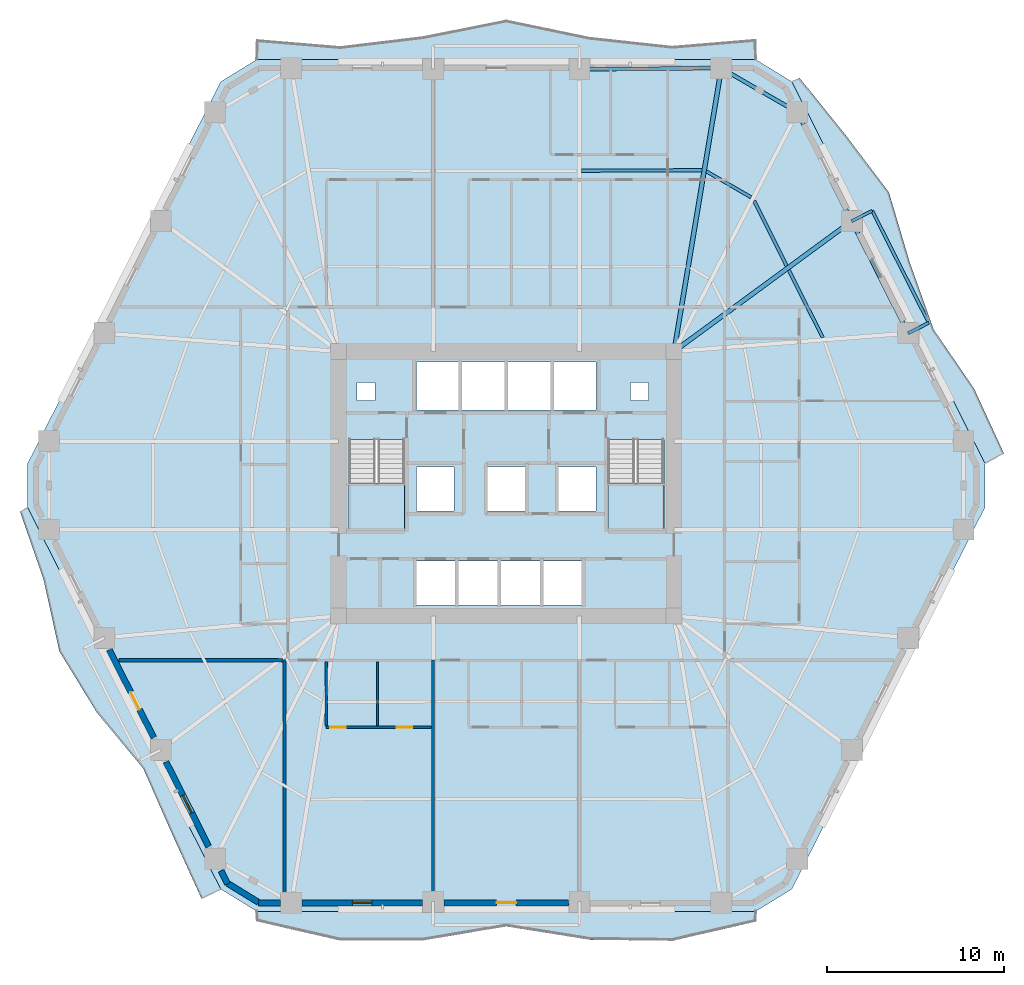
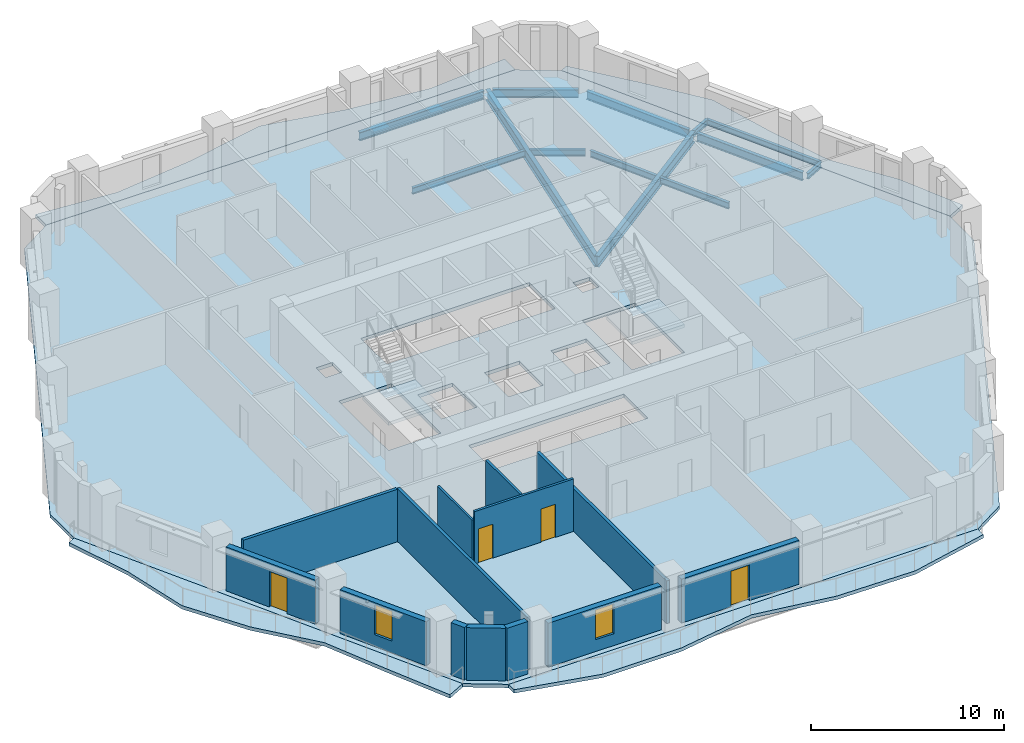
# One storey, part 3 of 13: 13 beams, 13 walls, 7 slabs, 4 doors, 2 windows, 6 openings, 2 elements without a shape of their own.
"""IFC4 building model written with IfcOpenShell, lengths in metres."""

from ifc_helpers import new_model, si_unit, direction, frame, frame_2d, origin, origin_2d, place, context, subcontext, project, spatial, polyline, rectangle, i_section, outline, extrude, material, layer, layer_set, material_profile, profile_set, type_object, element, fill, aggregate, save


model = new_model("IFC4")

# Units and contexts
model_context = context("Model", 3, precision=1e-05, world=origin(), true_north=direction((0.0, 1.0)))
body_context = subcontext(model_context, "Body", "Model", "MODEL_VIEW")
ifc_project = project(units=[si_unit("LENGTHUNIT", "METRE"), si_unit("AREAUNIT", "SQUARE_METRE"), si_unit("VOLUMEUNIT", "CUBIC_METRE"), si_unit("PLANEANGLEUNIT", "RADIAN"), si_unit("MASSUNIT", "GRAM", prefix="KILO")], contexts=[model_context])

# Site, building, storey
site_placement = place(None, origin())
site = spatial("IfcSite", under=ifc_project, at=site_placement, CompositionType="ELEMENT")
building_placement = place(site_placement, origin())
building = spatial("IfcBuilding", under=site, at=building_placement, Name="Cinnabar Lancet Tower", CompositionType="ELEMENT")
storey_placement = place(building_placement, frame((0.0, 0.0, 63.949951171875)))
storey = spatial("IfcBuildingStorey", under=building, at=storey_placement, Name="L16", CompositionType="ELEMENT", Elevation=63.949951171875)

# Beams
ifc_material_1 = material(Name="Structural steel S355", Category="steel")
ifc_material_profile_1 = material_profile(ifc_material_1, i_section(OverallWidth=0.177978515625, OverallDepth=0.406494140625, WebThickness=0.0078125, FlangeThickness=0.0126953125, FilletRadius=0.01025390625, at=origin_2d()), Name="UKB 406x178x60")
ifc_profile_set_1 = profile_set([ifc_material_profile_1], Name="Structural steel S355")
beam_type_1 = type_object("IfcBeamType", Name="STR-BM-JST-406", PredefinedType="JOIST", material=ifc_profile_set_1)
beam_1_placement = place(storey_placement, frame((50.23388671875, 34.132080078125, -0.4228515625), z_axis=(-0.450856172856, 0.8925966118, 0.0), x_axis=(-0.8925966118, -0.450856172856, 0.0)))
element("IfcBeam", 1, at=beam_1_placement, inside=storey, type_object=beam_type_1, Name="L16 Secondary Floor Joist 27", PredefinedType="JOIST", context=body_context, shape_type="SweptSolid", body=[
    extrude(i_section(OverallWidth=0.177978515625, OverallDepth=0.406494140625, WebThickness=0.0078125, FlangeThickness=0.0126953125, FilletRadius=0.01025390625, at=origin_2d()), origin(), (0.0, 0.0, 1.0), 4.25830078125),
])
beam_2_placement = place(storey_placement, frame((48.197998046875, 38.1630859375, -0.4228515625), z_axis=(-0.445641523434, 0.895211501597, 0.0), x_axis=(-0.895211501597, -0.445641523434, 0.0)))
element("IfcBeam", 2, at=beam_2_placement, inside=storey, type_object=beam_type_1, Name="L16 Secondary Floor Joist 29", PredefinedType="JOIST", context=body_context, shape_type="SweptSolid", body=[
    extrude(i_section(OverallWidth=0.177978515625, OverallDepth=0.406494140625, WebThickness=0.0078125, FlangeThickness=0.0126953125, FilletRadius=0.01025390625, at=origin_2d()), origin(), (0.0, 0.0, 1.0), 4.1015625),
])
beam_3_placement = place(storey_placement, frame((46.18994140625, 42.0390625, -0.4228515625), z_axis=(-0.865209684948, 0.501410212373, 0.0), x_axis=(-0.501410212373, -0.865209684948, 0.0)))
element("IfcBeam", 3, at=beam_3_placement, inside=storey, type_object=beam_type_1, Name="L16 Secondary Floor Joist 31", PredefinedType="JOIST", context=body_context, shape_type="SweptSolid", body=[
    extrude(i_section(OverallWidth=0.177978515625, OverallDepth=0.406494140625, WebThickness=0.0078125, FlangeThickness=0.0126953125, FilletRadius=0.01025390625, at=origin_2d()), origin(), (0.0, 0.0, 1.0), 2.90771484375),
])
beam_4_placement = place(storey_placement, frame((43.427978515625, 43.56396484375, -0.4228515625), z_axis=(-0.999988871223, -0.004717778015, 0.0), x_axis=(0.004717778015, -0.999988871223, 0.0)))
element("IfcBeam", 4, at=beam_4_placement, inside=storey, type_object=beam_type_1, Name="L16 Secondary Floor Joist 33", PredefinedType="JOIST", context=body_context, shape_type="SweptSolid", body=[
    extrude(i_section(OverallWidth=0.177978515625, OverallDepth=0.406494140625, WebThickness=0.0078125, FlangeThickness=0.0126953125, FilletRadius=0.01025390625, at=origin_2d()), origin(), (0.0, 0.0, 1.0), 6.779052734375),
])
ifc_material_2 = material(Name="Structural steel S355", Category="steel")
ifc_material_profile_2 = material_profile(ifc_material_2, i_section(OverallWidth=0.209228515625, OverallDepth=0.533203125, WebThickness=0.010009765625, FlangeThickness=0.015625, FilletRadius=0.0126953125, at=origin_2d()), Name="UKB 533x210x92")
ifc_profile_set_2 = profile_set([ifc_material_profile_2], Name="Structural steel S355")
beam_type_2 = type_object("IfcBeamType", Name="STR-BM-SPN-533", PredefinedType="SPANDREL", material=ifc_profile_set_2)
beam_5_placement = place(storey_placement, frame((54.93310546875, 34.60302734375, -0.487060546875), z_axis=(-0.450703143926, 0.892673891214, 0.0), x_axis=(-0.892673891214, -0.450703143926, 0.0)))
element("IfcBeam", 5, at=beam_5_placement, inside=storey, type_object=beam_type_2, Name="L16 Perimeter Spandrel 10", PredefinedType="SPANDREL", context=body_context, shape_type="SweptSolid", body=[
    extrude(i_section(OverallWidth=0.209228515625, OverallDepth=0.533203125, WebThickness=0.010009765625, FlangeThickness=0.015625, FilletRadius=0.0126953125, at=origin_2d()), origin(), (0.0, 0.0, 1.0), 6.570068359375),
])
beam_6_placement = place(storey_placement, frame((51.748046875, 40.9150390625, -0.487060546875), z_axis=(-0.445953050023, 0.89505635419, 0.0), x_axis=(-0.89505635419, -0.445953050023, 0.0)))
element("IfcBeam", 6, at=beam_6_placement, inside=storey, type_object=beam_type_2, Name="L16 Perimeter Spandrel 11", PredefinedType="SPANDREL", context=body_context, shape_type="SweptSolid", body=[
    extrude(i_section(OverallWidth=0.209228515625, OverallDepth=0.533203125, WebThickness=0.010009765625, FlangeThickness=0.015625, FilletRadius=0.0126953125, at=origin_2d()), origin(), (0.0, 0.0, 1.0), 6.35498046875),
])
beam_7_placement = place(storey_placement, frame((48.5869140625, 46.951904296875, -0.487060546875), z_axis=(-0.865147238596, 0.501517951374, 0.0), x_axis=(-0.501517951374, -0.865147238596, 0.0)))
element("IfcBeam", 7, at=beam_7_placement, inside=storey, type_object=beam_type_2, Name="L16 Perimeter Spandrel 12", PredefinedType="SPANDREL", context=body_context, shape_type="SweptSolid", body=[
    extrude(i_section(OverallWidth=0.209228515625, OverallDepth=0.533203125, WebThickness=0.010009765625, FlangeThickness=0.015625, FilletRadius=0.0126953125, at=origin_2d()), origin(), (0.0, 0.0, 1.0), 4.454833984375),
])
beam_8_placement = place(storey_placement, frame((44.26708984375, 49.30908203125, -0.487060546875), z_axis=(-0.99997856757, -0.006547090947, 0.0), x_axis=(0.006547090947, -0.99997856757, 0.0)))
element("IfcBeam", 8, at=beam_8_placement, inside=storey, type_object=beam_type_2, Name="L16 Perimeter Spandrel 13", PredefinedType="SPANDREL", context=body_context, shape_type="SweptSolid", body=[
    extrude(i_section(OverallWidth=0.209228515625, OverallDepth=0.533203125, WebThickness=0.010009765625, FlangeThickness=0.015625, FilletRadius=0.0126953125, at=origin_2d()), origin(), (0.0, 0.0, 1.0), 7.495361328125),
])
ifc_material_3 = material(Name="Structural steel S355", Category="steel")
ifc_material_profile_3 = material_profile(ifc_material_3, i_section(OverallWidth=0.253662109375, OverallDepth=0.68359375, WebThickness=0.012451171875, FlangeThickness=0.01904296875, FilletRadius=0.01513671875, at=origin_2d()), Name="UKB 686x254x140")
ifc_profile_set_3 = profile_set([ifc_material_profile_3], Name="Structural steel S355")
beam_type_3 = type_object("IfcBeamType", Name="STR-BM-UKB686-140", PredefinedType="BEAM", material=ifc_profile_set_3)
beam_9_placement = place(storey_placement, frame((51.85888671875, 40.69091796875, -0.56201171875), z_axis=(-0.80636497312, -0.591418236213, 0.0), x_axis=(0.591418236213, -0.80636497312, 0.0)))
element("IfcBeam", 9, at=beam_9_placement, inside=storey, type_object=beam_type_3, Name="L16 Corner Collector Girder 3", PredefinedType="BEAM", context=body_context, shape_type="SweptSolid", body=[
    extrude(i_section(OverallWidth=0.253662109375, OverallDepth=0.68359375, WebThickness=0.012451171875, FlangeThickness=0.01904296875, FilletRadius=0.01513671875, at=origin_2d()), origin(), (0.0, 0.0, 1.0), 12.412353515625),
])
beam_10_placement = place(storey_placement, frame((44.51708984375, 49.31103515625, -0.56201171875), z_axis=(-0.164809990854, -0.986325335229, 0.0), x_axis=(0.986325335229, -0.164809990854, 0.0)))
element("IfcBeam", 10, at=beam_10_placement, inside=storey, type_object=beam_type_3, Name="L16 Primary Floor Girder 13", PredefinedType="BEAM", context=body_context, shape_type="SweptSolid", body=[
    extrude(i_section(OverallWidth=0.253662109375, OverallDepth=0.68359375, WebThickness=0.012451171875, FlangeThickness=0.01904296875, FilletRadius=0.01513671875, at=origin_2d()), origin(), (0.0, 0.0, 1.0), 16.18212890625),
])
ifc_material_4 = material(Name="Structural steel S355", Category="steel")
ifc_material_profile_4 = material_profile(ifc_material_4, i_section(OverallWidth=0.17138671875, OverallDepth=0.35498046875, WebThickness=0.00732421875, FlangeThickness=0.011474609375, FilletRadius=0.01025390625, at=origin_2d()), Name="UKB 356x171x51")
ifc_profile_set_4 = profile_set([ifc_material_profile_4], Name="Structural steel S355")
beam_type_4 = type_object("IfcBeamType", Name="STR-BM-WAV-OUT", PredefinedType="BEAM", material=ifc_profile_set_4)
for number, where, z_axis, x_axis, name in (
    (11, (55.0458984375, 34.3798828125, -0.39794921875), (0.892238560088, 0.451564338597, 0.0), (-0.451564338597, 0.892238560088, 0.0), "L16 Face 3 Balcony Outlooker A"),
    (12, (51.85888671875, 40.69091796875, -0.39794921875), (0.892238560088, 0.451564338597, 0.0), (-0.451564338597, 0.892238560088, 0.0), "L16 Face 3 Balcony Outlooker B"),
):
    element("IfcBeam", number, at=place(storey_placement, frame(where, z_axis=z_axis, x_axis=x_axis)), inside=storey, type_object=beam_type_4, Name=name, PredefinedType="BEAM", context=body_context, shape_type="SweptSolid", body=[
        extrude(i_section(OverallWidth=0.17138671875, OverallDepth=0.35498046875, WebThickness=0.00732421875, FlangeThickness=0.011474609375, FilletRadius=0.01025390625, at=origin_2d()), origin(), (0.0, 0.0, 1.0), 1.30029296875),
    ])
ifc_material_5 = material(Name="Structural steel S355", Category="steel")
ifc_material_profile_5 = material_profile(ifc_material_5, i_section(OverallWidth=0.17138671875, OverallDepth=0.35498046875, WebThickness=0.00732421875, FlangeThickness=0.011474609375, FilletRadius=0.01025390625, at=origin_2d()), Name="UKB 356x171x51")
ifc_profile_set_5 = profile_set([ifc_material_profile_5], Name="Structural steel S355")
beam_type_5 = type_object("IfcBeamType", Name="STR-BM-WAV-TRIM", PredefinedType="SPANDREL", material=ifc_profile_set_5)
beam_11_placement = place(storey_placement, frame((56.2060546875, 34.967041015625, -0.39794921875), z_axis=(-0.450773692627, 0.892638268301, 0.0), x_axis=(-0.892638268301, -0.450773692627, 0.0)))
element("IfcBeam", 13, at=beam_11_placement, inside=storey, type_object=beam_type_5, Name="L16 Face 3 Balcony Edge Trimmer", PredefinedType="SPANDREL", context=body_context, shape_type="SweptSolid", body=[
    extrude(i_section(OverallWidth=0.17138671875, OverallDepth=0.35498046875, WebThickness=0.00732421875, FlangeThickness=0.011474609375, FilletRadius=0.01025390625, at=origin_2d()), origin(), (0.0, 0.0, 1.0), 7.070068359375),
])

# Stair, slab
ifc_material_6 = material(Name="Concrete C40/50", Category="concrete")
stair_type = type_object("IfcStairType", Name="ST-CORE", PredefinedType="HALF_TURN_STAIR", material=ifc_material_6)
stair_1_placement = place(storey_placement, origin())
stair_1 = element("IfcStair", 14, at=stair_1_placement, inside=storey, type_object=stair_type, Name="L16 ST-1", PredefinedType="HALF_TURN_STAIR")
ifc_material_7 = material(Name="Concrete C40/50", Category="concrete")
ifc_layer_1 = layer(ifc_material_7, 0.199951171875)
ifc_layer_set_1 = layer_set([ifc_layer_1], Name="Concrete C40/50")
slab_type_1 = type_object("IfcSlabType", Name="LANDING-CORE", PredefinedType="LANDING", material=ifc_layer_set_1)
slab_1_placement = place(storey_placement, frame((0.0, 0.0, 1.574951171875)))
slab_1 = element("IfcSlab", 15, at=slab_1_placement, type_object=slab_type_1, Name="ST-1 landing 1", PredefinedType="LANDING", context=body_context, shape_type="SweptSolid", body=[
    extrude(outline(polyline([(23.52490234375, 25.925048828125), (23.52490234375, 23.25), (26.675048828125, 23.25), (26.675048828125, 25.925048828125), (23.52490234375, 25.925048828125)])), origin(), (0.0, 0.0, 1.0), 0.2001953125),
])
aggregate(stair_1, [slab_1])

stair_2_placement = place(storey_placement, origin())
stair_2 = element("IfcStair", 16, at=stair_2_placement, inside=storey, type_object=stair_type, Name="L16 ST-2", PredefinedType="HALF_TURN_STAIR")
slab_2_placement = place(storey_placement, frame((0.0, 0.0, 1.574951171875)))
slab_2 = element("IfcSlab", 17, at=slab_2_placement, type_object=slab_type_1, Name="ST-2 landing 1", PredefinedType="LANDING", context=body_context, shape_type="SweptSolid", body=[
    extrude(outline(polyline([(38.125, 25.925048828125), (38.125, 23.25), (41.27490234375, 23.25), (41.27490234375, 25.925048828125), (38.125, 25.925048828125)])), origin(), (0.0, 0.0, 1.0), 0.2001953125),
])
aggregate(stair_2, [slab_2])

# Slabs
ifc_material_8 = material(Name="Concrete C40/50", Category="concrete")
ifc_layer_2 = layer(ifc_material_8, 0.219970703125)
ifc_layer_set_2 = layer_set([ifc_layer_2], Name="Concrete C40/50")
slab_type_2 = type_object("IfcSlabType", Name="STR-SLB-FLR-220", PredefinedType="FLOOR", material=ifc_layer_set_2)
slab_3_placement = place(storey_placement, frame((0.0, 0.0, -0.219970703125)))
element("IfcSlab", 18, at=slab_3_placement, inside=storey, type_object=slab_type_2, Name="L16 Structural Floor Slab", PredefinedType="FLOOR", context=body_context, shape_type="SweptSolid", body=[
    extrude(outline(polyline([(16.31201171875, 3.049072265625), (18.343994140625, 1.800048828125), (46.4560546875, 1.800048828125), (48.488037109375, 3.049072265625), (59.367919921875, 24.551025390625), (59.367919921875, 27.049072265625), (48.488037109375, 48.551025390625), (46.4560546875, 49.800048828125), (18.343994140625, 49.800048828125), (16.31201171875, 48.551025390625), (5.431884765625, 27.049072265625), (5.431884765625, 24.551025390625), (16.31201171875, 3.049072265625)]), holes=[polyline([(23.52490234375, 23.25), (26.675048828125, 23.25), (26.675048828125, 28.3994140625), (23.52490234375, 28.3994140625), (23.52490234375, 23.25)]), polyline([(38.125, 23.25), (41.27490234375, 23.25), (41.27490234375, 28.3994140625), (38.125, 28.3994140625), (38.125, 23.25)]), polyline([(27.35009765625, 30.050048828125), (37.449951171875, 30.050048828125), (37.449951171875, 32.75), (27.35009765625, 32.75), (27.35009765625, 30.050048828125)]), polyline([(27.35009765625, 19.050048828125), (36.64990234375, 19.050048828125), (36.64990234375, 21.550048828125), (27.35009765625, 21.550048828125), (27.35009765625, 19.050048828125)]), polyline([(27.35009765625, 24.35009765625), (29.449951171875, 24.35009765625), (29.449951171875, 26.85009765625), (27.35009765625, 26.85009765625), (27.35009765625, 24.35009765625)]), polyline([(35.35009765625, 24.35009765625), (37.449951171875, 24.35009765625), (37.449951171875, 26.85009765625), (35.35009765625, 26.85009765625), (35.35009765625, 24.35009765625)]), polyline([(31.35009765625, 24.35009765625), (33.449951171875, 24.35009765625), (33.449951171875, 26.85009765625), (31.35009765625, 26.85009765625), (31.35009765625, 24.35009765625)]), polyline([(24.0, 30.60009765625), (25.0, 30.60009765625), (25.0, 31.60009765625), (24.0, 31.60009765625), (24.0, 30.60009765625)]), polyline([(39.39990234375, 30.60009765625), (40.39990234375, 30.60009765625), (40.39990234375, 31.60009765625), (39.39990234375, 31.60009765625), (39.39990234375, 30.60009765625)])]), origin(), (0.0, 0.0, 1.0), 0.219970703125),
])
ifc_material_9 = material(Name="Concrete C45/55", Category="concrete")
ifc_layer_3 = layer(ifc_material_9, 0.219970703125)
ifc_layer_set_3 = layer_set([ifc_layer_3], Name="Concrete C45/55")
slab_type_3 = type_object("IfcSlabType", Name="STR-SLB-WAV-220", PredefinedType="FLOOR", material=ifc_layer_set_3)
slab_4_placement = place(storey_placement, frame((0.0, 0.0, -0.219970703125)))
element("IfcSlab", 19, at=slab_4_placement, inside=storey, type_object=slab_type_3, Name="L16 Face 1 Undulating Wave Balcony Slab", PredefinedType="FLOOR", context=body_context, shape_type="SweptSolid", body=[
    extrude(outline(polyline([(18.343994140625, 1.800048828125), (18.343994140625, 1.235107421875), (23.029052734375, 0.157958984375), (27.715087890625, 0.1630859375), (32.39990234375, 0.949951171875), (37.0849609375, 0.200927734375), (41.77099609375, 0.14111328125), (46.4560546875, 1.218994140625), (46.4560546875, 1.800048828125), (18.343994140625, 1.800048828125)])), origin(), (0.0, 0.0, 1.0), 0.219970703125),
])
slab_5_placement = place(storey_placement, frame((0.0, 0.0, -0.219970703125)))
element("IfcSlab", 20, at=slab_5_placement, inside=storey, type_object=slab_type_3, Name="L16 Face 3 Undulating Wave Balcony Slab", PredefinedType="FLOOR", context=body_context, shape_type="SweptSolid", body=[
    extrude(outline(polyline([(59.367919921875, 27.049072265625), (60.445068359375, 27.593994140625), (58.762939453125, 31.243896484375), (56.47998046875, 34.590087890625), (55.1220703125, 38.404052734375), (53.958984375, 42.31689453125), (51.498046875, 45.572998046875), (48.91796875, 48.76904296875), (48.488037109375, 48.551025390625), (59.367919921875, 27.049072265625)])), origin(), (0.0, 0.0, 1.0), 0.219970703125),
])
slab_6_placement = place(storey_placement, frame((0.0, 0.0, -0.219970703125)))
element("IfcSlab", 21, at=slab_6_placement, inside=storey, type_object=slab_type_3, Name="L16 Face 4 Undulating Wave Balcony Slab", PredefinedType="FLOOR", context=body_context, shape_type="SweptSolid", body=[
    extrude(outline(polyline([(46.4560546875, 49.800048828125), (46.4560546875, 50.927978515625), (41.77099609375, 50.54296875), (37.0849609375, 51.054931640625), (32.39990234375, 52.027099609375), (27.715087890625, 51.093017578125), (23.029052734375, 50.52587890625), (18.343994140625, 50.912109375), (18.343994140625, 49.800048828125), (46.4560546875, 49.800048828125)])), origin(), (0.0, 0.0, 1.0), 0.219970703125),
])
slab_7_placement = place(storey_placement, frame((0.0, 0.0, -0.219970703125)))
element("IfcSlab", 22, at=slab_7_placement, inside=storey, type_object=slab_type_3, Name="L16 Face 6 Undulating Wave Balcony Slab", PredefinedType="FLOOR", context=body_context, shape_type="SweptSolid", body=[
    extrude(outline(polyline([(5.431884765625, 24.551025390625), (4.998046875, 24.33203125), (6.325927734375, 20.501953125), (7.217041015625, 16.451904296875), (9.320068359375, 13.014892578125), (11.948974609375, 9.843994140625), (13.56689453125, 6.160888671875), (15.23193359375, 2.501953125), (16.31201171875, 3.049072265625), (5.431884765625, 24.551025390625)])), origin(), (0.0, 0.0, 1.0), 0.219970703125),
])

# Walls
ifc_material_10 = material(Name="Fire-rated twin-frame acoustic drywall", Category="gypsum")
ifc_layer_4 = layer(ifc_material_10, 0.179931640625)
ifc_layer_set_4 = layer_set([ifc_layer_4], Name="Fire-rated twin-frame acoustic drywall")
wall_type_1 = type_object("IfcWallType", Name="ARC-WL-PARTY-180", PredefinedType="PARTITIONING", material=ifc_layer_set_4)
wall_1_placement = place(storey_placement, frame((19.89990234375, 2.455078125, 0.0), z_axis=(0.0, 0.0, 1.0), x_axis=(0.0, 1.0, 0.0)))
element("IfcWall", 23, at=wall_1_placement, inside=storey, type_object=wall_type_1, Name="PW-L16-SPTY-199", PredefinedType="PARTITIONING", context=body_context, shape_type="SweptSolid", body=[
    extrude(rectangle(XDim=13.494873046875, YDim=0.179931640625, at=frame_2d((6.74755859375, 0.0))), origin(), (0.0, 0.0, 1.0), 3.330078125),
])
wall_2_placement = place(storey_placement, frame((28.278076171875, 2.455078125, 0.0), z_axis=(0.0, 0.0, 1.0), x_axis=(0.0, 1.0, 0.0)))
element("IfcWall", 24, at=wall_2_placement, inside=storey, type_object=wall_type_1, Name="PW-L16-SPTY-283", PredefinedType="PARTITIONING", context=body_context, shape_type="SweptSolid", body=[
    extrude(rectangle(XDim=13.494873046875, YDim=0.179931640625, at=frame_2d((6.74755859375, 0.0))), origin(), (0.0, 0.0, 1.0), 2.699951171875),
])
wall_3_placement = place(storey_placement, frame((10.56396484375, 15.949951171875, 0.0), z_axis=(0.0, 0.0, 1.0), x_axis=(1.0, 0.0, 0.0)))
element("IfcWall", 25, at=wall_3_placement, inside=storey, type_object=wall_type_1, Name="PW-L16-WSB", PredefinedType="PARTITIONING", context=body_context, shape_type="SweptSolid", body=[
    extrude(rectangle(XDim=9.240966796875, YDim=0.179931640625, at=frame_2d((4.62060546875, 0.0))), origin(), (0.0, 0.0, 1.0), 3.330078125),
])
ifc_material_11 = material(Name="Gypsum plasterboard stud partition", Category="gypsum")
ifc_layer_5 = layer(ifc_material_11, 0.125)
ifc_layer_set_5 = layer_set([ifc_layer_5], Name="Gypsum plasterboard stud partition")
wall_type_2 = type_object("IfcWallType", Name="ARC-WL-UNIT-125", PredefinedType="PARTITIONING", material=ifc_layer_set_5)
wall_4_placement = place(storey_placement, frame((22.25, 12.27587890625, 0.0), z_axis=(0.0, 0.0, 1.0), x_axis=(0.0, 1.0, 0.0)))
element("IfcWall", 26, at=wall_4_placement, inside=storey, type_object=wall_type_2, Name="UW-L16-S01-FOYE", PredefinedType="PARTITIONING", context=body_context, shape_type="SweptSolid", body=[
    extrude(rectangle(XDim=3.589111328125, YDim=0.125, at=frame_2d((1.79443359375, 0.0))), origin(), (0.0, 0.0, 1.0), 2.699951171875),
])

# Wall, openings, doors
ifc_material_12 = material(Name="Moisture-resistant cement-board plumbing wall", Category="masonry")
ifc_layer_6 = layer(ifc_material_12, 0.139892578125)
ifc_layer_set_6 = layer_set([ifc_layer_6], Name="Moisture-resistant cement-board plumbing wall")
wall_type_3 = type_object("IfcWallType", Name="ARC-WL-WET-140", PredefinedType="PLUMBINGWALL", material=ifc_layer_set_6)
wall_5_placement = place(storey_placement, frame((22.25, 12.1708984375, 0.0), z_axis=(0.0, 0.0, 1.0), x_axis=(1.0, 0.0, 0.0)))
wall_5 = element("IfcWall", 27, at=wall_5_placement, inside=storey, type_object=wall_type_3, Name="UW-L16-S01-SPL", PredefinedType="PLUMBINGWALL", context=body_context, shape_type="SweptSolid", body=[
    extrude(rectangle(XDim=5.93310546875, YDim=0.139892578125, at=frame_2d((2.966552734375, 0.0))), origin(), (0.0, 0.0, 1.0), 3.330078125),
])
opening_1_placement = place(wall_5_placement, frame((3.988037109375, 0.0, 0.0)))
opening_1 = element("IfcOpeningElement", 28, at=opening_1_placement, cuts=wall_5, Name="Opening BD-01", PredefinedType="OPENING", context=body_context, shape_type="SweptSolid", body=[
    extrude(rectangle(XDim=0.860107421875, YDim=2.10009765625, at=frame_2d((0.43017578125, 1.050048828125))), frame((0.0, 0.079833984375, 0.0), z_axis=(0.0, -1.0, 0.0), x_axis=(1.0, 0.0, 0.0)), (0.0, 0.0, 1.0), 0.159912109375),
])
opening_2_placement = place(wall_5_placement, frame((0.219970703125, 0.0, 0.0)))
opening_2 = element("IfcOpeningElement", 29, at=opening_2_placement, cuts=wall_5, Name="Opening RD-02", PredefinedType="OPENING", context=body_context, shape_type="SweptSolid", body=[
    extrude(rectangle(XDim=0.8798828125, YDim=2.14990234375, at=frame_2d((0.43994140625, 1.074951171875))), frame((0.0, 0.079833984375, 0.0), z_axis=(0.0, -1.0, 0.0), x_axis=(1.0, 0.0, 0.0)), (0.0, 0.0, 1.0), 0.159912109375),
])
ifc_material_13 = material(Name="Moisture-resistant timber bathroom door", Category="wood")
door_type_1 = type_object("IfcDoorType", Name="ARC-DR-BATH", OperationType="NOTDEFINED", PredefinedType="DOOR", material=ifc_material_13)
door_1_placement = place(opening_1_placement, origin())
door_1 = element("IfcDoor", 30, at=door_1_placement, inside=storey, type_object=door_type_1, Name="DR-L16-S01-BTH", OperationType="SINGLE_SWING_RIGHT", OverallHeight=2.10009765625, OverallWidth=0.860107421875, PredefinedType="DOOR", context=body_context, shape_type="SweptSolid", body=[
    extrude(rectangle(XDim=0.860107421875, YDim=2.10009765625, at=frame_2d((0.43017578125, 1.050048828125))), frame((0.0, 0.02490234375, 0.0), z_axis=(0.0, -1.0, 0.0), x_axis=(1.0, 0.0, 0.0)), (0.0, 0.0, 1.0), 0.050048828125),
])
fill(opening_1, door_1)
ifc_material_14 = material(Name="Engineered timber study door", Category="wood")
door_type_2 = type_object("IfcDoorType", Name="ARC-DR-STUDY", OperationType="NOTDEFINED", PredefinedType="DOOR", material=ifc_material_14)
door_2_placement = place(opening_2_placement, origin())
door_2 = element("IfcDoor", 31, at=door_2_placement, inside=storey, type_object=door_type_2, Name="DR-L16-S01-KIT", OperationType="SINGLE_SWING_LEFT", OverallHeight=2.14990234375, OverallWidth=0.8798828125, PredefinedType="DOOR", context=body_context, shape_type="SweptSolid", body=[
    extrude(rectangle(XDim=0.8798828125, YDim=2.14990234375, at=frame_2d((0.43994140625, 1.074951171875))), frame((0.0, 0.02490234375, 0.0), z_axis=(0.0, -1.0, 0.0), x_axis=(1.0, 0.0, 0.0)), (0.0, 0.0, 1.0), 0.050048828125),
])
fill(opening_2, door_2)

# Walls
wall_6_placement = place(storey_placement, frame((25.14306640625, 12.27587890625, 0.0), z_axis=(0.0, 0.0, 1.0), x_axis=(0.0, 1.0, 0.0)))
element("IfcWall", 32, at=wall_6_placement, inside=storey, type_object=wall_type_3, Name="UW-L16-S01-KDV", PredefinedType="PLUMBINGWALL", context=body_context, shape_type="SweptSolid", body=[
    extrude(rectangle(XDim=3.589111328125, YDim=0.139892578125, at=frame_2d((1.79443359375, 0.0))), origin(), (0.0, 0.0, 1.0), 3.330078125),
])
ifc_material_15 = material(Name="Cinnabar red clay brick", Category="masonry")
ifc_layer_7 = layer(ifc_material_15, 0.340087890625)
ifc_layer_set_7 = layer_set([ifc_layer_7], Name="Cinnabar red clay brick")
wall_type_4 = type_object("IfcWallType", Name="ENV-WL-BRK-RED-340", PredefinedType="STANDARD", material=ifc_layer_set_7)
wall_7_placement = place(storey_placement, frame((16.719970703125, 3.362060546875, 0.0), z_axis=(0.0, 0.0, 1.0), x_axis=(0.851816122478, -0.523840904748, 0.0)))
element("IfcWall", 33, at=wall_7_placement, inside=storey, type_object=wall_type_4, Name="L16 Chamfered Corner Brick Pier 1.1", PredefinedType="STANDARD", context=body_context, shape_type="SweptSolid", body=[
    extrude(rectangle(XDim=2.01806640625, YDim=0.340087890625, at=frame_2d((1.009033203125, 0.0))), origin(), (0.0, 0.0, 1.0), 3.330078125),
])
wall_8_placement = place(storey_placement, frame((18.43408203125, 2.280029296875, 0.0), z_axis=(0.0, 0.0, 1.0), x_axis=(1.0, 0.0, 0.0)))
element("IfcWall", 34, at=wall_8_placement, inside=storey, type_object=wall_type_4, Name="L16 Face 1 Masonry Bay Wall 1", PredefinedType="STANDARD", context=body_context, shape_type="SweptSolid", body=[
    extrude(rectangle(XDim=1.244873046875, YDim=0.340087890625, at=frame_2d((0.62255859375, 0.0))), origin(), (0.0, 0.0, 1.0), 3.330078125),
])

# Wall, opening, window
wall_9_placement = place(storey_placement, frame((20.886962890625, 2.280029296875, 0.0), z_axis=(0.0, 0.0, 1.0), x_axis=(1.0, 0.0, 0.0)))
wall_9 = element("IfcWall", 35, at=wall_9_placement, inside=storey, type_object=wall_type_4, Name="L16 Face 1 Masonry Bay Wall 2", PredefinedType="STANDARD", context=body_context, shape_type="SweptSolid", body=[
    extrude(rectangle(XDim=6.787109375, YDim=0.340087890625, at=frame_2d((3.3935546875, 0.0))), origin(), (0.0, 0.0, 1.0), 2.787109375),
])
opening_3_placement = place(wall_9_placement, frame((2.843017578125, 0.0, 0.75)))
opening_3 = element("IfcOpeningElement", 36, at=opening_3_placement, cuts=wall_9, Name="Opening WN-04", PredefinedType="OPENING", context=body_context, shape_type="SweptSolid", body=[
    extrude(rectangle(XDim=1.10009765625, YDim=1.886962890625, at=frame_2d((0.550048828125, 0.943359375))), frame((0.0, 0.179931640625, 0.0), z_axis=(0.0, -1.0, 0.0), x_axis=(1.0, 0.0, 0.0)), (0.0, 0.0, 1.0), 0.360107421875),
])
ifc_material_16 = material(Name="Thermally broken bronze-anodized aluminium tall lancet window", Category="aluminium")
window_type = type_object("IfcWindowType", Name="ENV-WN-LANCET-1100", PartitioningType="SINGLE_PANEL", PredefinedType="WINDOW", material=ifc_material_16)
window_1_placement = place(opening_3_placement, origin())
window_1 = element("IfcWindow", 37, at=window_1_placement, inside=storey, type_object=window_type, Name="L16 Face 1 Gothic Lancet Window 2", OverallHeight=1.886962890625, OverallWidth=1.10009765625, PartitioningType="SINGLE_PANEL", PredefinedType="WINDOW", context=body_context, shape_type="SweptSolid", body=[
    extrude(rectangle(XDim=1.10009765625, YDim=1.886962890625, at=frame_2d((0.550048828125, 0.943359375))), frame((0.0, 0.030029296875, 0.0), z_axis=(0.0, -1.0, 0.0), x_axis=(1.0, 0.0, 0.0)), (0.0, 0.0, 1.0), 0.06005859375),
])
fill(opening_3, window_1)

# Wall, opening, door
wall_10_placement = place(storey_placement, frame((28.882080078125, 2.280029296875, 0.0), z_axis=(0.0, 0.0, 1.0), x_axis=(1.0, 0.0, 0.0)))
wall_10 = element("IfcWall", 38, at=wall_10_placement, inside=storey, type_object=wall_type_4, Name="L16 Face 1 Masonry Bay Wall 3", PredefinedType="STANDARD", context=body_context, shape_type="SweptSolid", body=[
    extrude(rectangle(XDim=7.035888671875, YDim=0.340087890625, at=frame_2d((3.51806640625, 0.0))), origin(), (0.0, 0.0, 1.0), 2.787109375),
])
opening_4_placement = place(wall_10_placement, frame((2.968017578125, 0.0, 0.0)))
opening_4 = element("IfcOpeningElement", 39, at=opening_4_placement, cuts=wall_10, Name="Opening TD-01", PredefinedType="OPENING", context=body_context, shape_type="SweptSolid", body=[
    extrude(rectangle(XDim=1.10009765625, YDim=2.25, at=frame_2d((0.550048828125, 1.125))), frame((0.0, 0.179931640625, 0.0), z_axis=(0.0, -1.0, 0.0), x_axis=(1.0, 0.0, 0.0)), (0.0, 0.0, 1.0), 0.360107421875),
])
ifc_material_17 = material(Name="Thermally broken low-E glazed balcony terrace door", Category="wood")
door_type_3 = type_object("IfcDoorType", Name="ARC-DR-BALC", OperationType="NOTDEFINED", PredefinedType="DOOR", material=ifc_material_17)
door_3_placement = place(opening_4_placement, origin())
door_3 = element("IfcDoor", 40, at=door_3_placement, inside=storey, type_object=door_type_3, Name="L16 Face 1 Glazed Terrace Door", OperationType="SINGLE_SWING_LEFT", OverallHeight=2.25, OverallWidth=1.10009765625, PredefinedType="DOOR", context=body_context, shape_type="SweptSolid", body=[
    extrude(rectangle(XDim=1.10009765625, YDim=2.25, at=frame_2d((0.550048828125, 1.125))), frame((0.0, 0.02490234375, 0.0), z_axis=(0.0, -1.0, 0.0), x_axis=(1.0, 0.0, 0.0)), (0.0, 0.0, 1.0), 0.050048828125),
])
fill(opening_4, door_3)

wall_11_placement = place(storey_placement, frame((10.02392578125, 16.5390625, 0.0), z_axis=(0.0, 0.0, 1.0), x_axis=(0.451627137896, -0.892206774417, 0.0)))
wall_11 = element("IfcWall", 41, at=wall_11_placement, inside=storey, type_object=wall_type_4, Name="L16 Face 6 Masonry Bay Wall 3", PredefinedType="STANDARD", context=body_context, shape_type="SweptSolid", body=[
    extrude(rectangle(XDim=5.546875, YDim=0.340087890625, at=frame_2d((2.7734375, 0.0))), origin(), (0.0, 0.0, 1.0), 2.787109375),
])
opening_5_placement = place(wall_11_placement, frame((2.678955078125, 0.0, 0.0)))
opening_5 = element("IfcOpeningElement", 42, at=opening_5_placement, cuts=wall_11, Name="Opening TD-01", PredefinedType="OPENING", context=body_context, shape_type="SweptSolid", body=[
    extrude(rectangle(XDim=1.10009765625, YDim=2.25, at=frame_2d((0.550048828125, 1.125))), frame((0.0, 0.179931640625, 0.0), z_axis=(0.0, -1.0, 0.0), x_axis=(1.0, 0.0, 0.0)), (0.0, 0.0, 1.0), 0.360107421875),
])
door_4_placement = place(opening_5_placement, origin())
door_4 = element("IfcDoor", 43, at=door_4_placement, inside=storey, type_object=door_type_3, Name="L16 Face 6 Glazed Terrace Door", OperationType="SINGLE_SWING_RIGHT", OverallHeight=2.25, OverallWidth=1.10009765625, PredefinedType="DOOR", context=body_context, shape_type="SweptSolid", body=[
    extrude(rectangle(XDim=1.10009765625, YDim=2.25, at=frame_2d((0.550048828125, 1.125))), frame((0.0, 0.02490234375, 0.0), z_axis=(0.0, -1.0, 0.0), x_axis=(1.0, 0.0, 0.0)), (0.0, 0.0, 1.0), 0.050048828125),
])
fill(opening_5, door_4)

# Wall, opening, window
wall_12_placement = place(storey_placement, frame((13.217041015625, 10.22802734375, 0.0), z_axis=(0.0, 0.0, 1.0), x_axis=(0.451697561555, -0.892171123095, 0.0)))
wall_12 = element("IfcWall", 44, at=wall_12_placement, inside=storey, type_object=wall_type_4, Name="L16 Face 6 Masonry Bay Wall 4", PredefinedType="STANDARD", context=body_context, shape_type="SweptSolid", body=[
    extrude(rectangle(XDim=5.350830078125, YDim=0.340087890625, at=frame_2d((2.67529296875, 0.0))), origin(), (0.0, 0.0, 1.0), 2.787109375),
])
opening_6_placement = place(wall_12_placement, frame((2.125, 0.0, 0.75)))
opening_6 = element("IfcOpeningElement", 45, at=opening_6_placement, cuts=wall_12, Name="Opening WN-04", PredefinedType="OPENING", context=body_context, shape_type="SweptSolid", body=[
    extrude(rectangle(XDim=1.10009765625, YDim=1.886962890625, at=frame_2d((0.550048828125, 0.943359375))), frame((0.0, 0.179931640625, 0.0), z_axis=(0.0, -1.0, 0.0), x_axis=(1.0, 0.0, 0.0)), (0.0, 0.0, 1.0), 0.360107421875),
])
window_2_placement = place(opening_6_placement, origin())
window_2 = element("IfcWindow", 46, at=window_2_placement, inside=storey, type_object=window_type, Name="L16 Face 6 Gothic Lancet Window 4", OverallHeight=1.886962890625, OverallWidth=1.10009765625, PartitioningType="SINGLE_PANEL", PredefinedType="WINDOW", context=body_context, shape_type="SweptSolid", body=[
    extrude(rectangle(XDim=1.10009765625, YDim=1.886962890625, at=frame_2d((0.550048828125, 0.943359375))), frame((0.0, 0.030029296875, 0.0), z_axis=(0.0, -1.0, 0.0), x_axis=(1.0, 0.0, 0.0)), (0.0, 0.0, 1.0), 0.06005859375),
])
fill(opening_6, window_2)

# Wall
wall_13_placement = place(storey_placement, frame((16.322021484375, 4.092041015625, 0.0), z_axis=(0.0, 0.0, 1.0), x_axis=(0.45187807258, -0.892079709175, 0.0)))
element("IfcWall", 47, at=wall_13_placement, inside=storey, type_object=wall_type_4, Name="L16 Face 6 Masonry Bay Wall 5", PredefinedType="STANDARD", context=body_context, shape_type="SweptSolid", body=[
    extrude(rectangle(XDim=0.83642578125, YDim=0.340087890625, at=frame_2d((0.418212890625, 0.0))), origin(), (0.0, 0.0, 1.0), 3.330078125),
])

save(model, "model.ifc")
